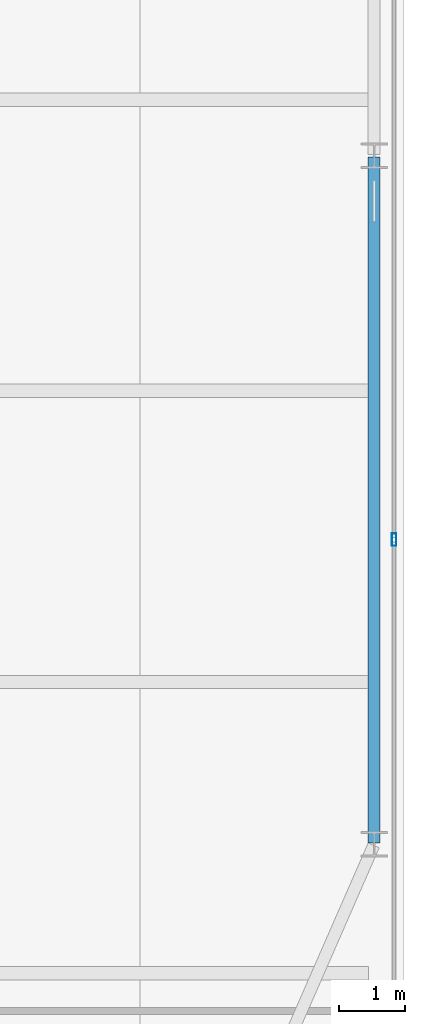
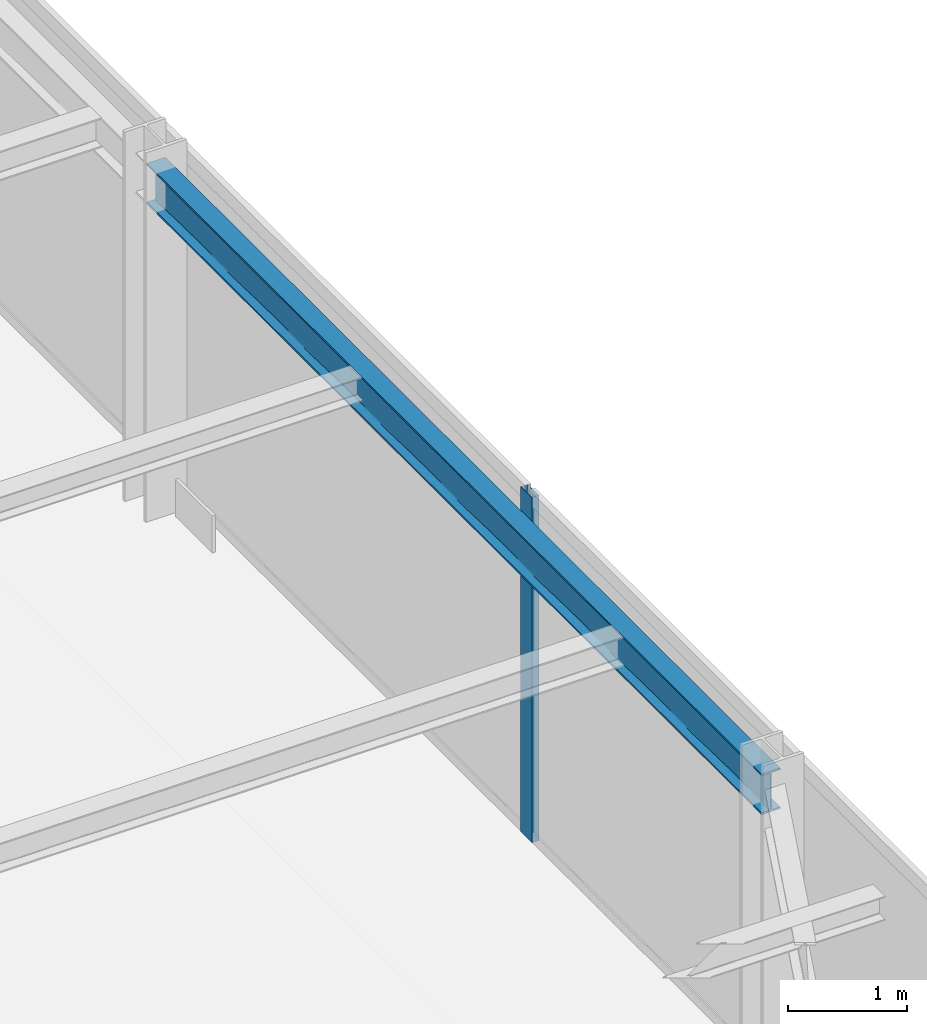
# One storey, part 18 of 34: 1 beam, 1 member, 1 element without a shape of its own.
"""IFC4 building model written with IfcOpenShell, lengths in metres."""

from ifc_helpers import new_model, si_unit, direction, frame, origin, origin_2d, place, context, subcontext, project, spatial, hollow_rectangle, i_section, extrude, source, transform, mapped, material, layer, layer_set, material_profile, profile_set, type_object, type_shapes, element, aggregate, save


model = new_model("IFC4")

# Units and contexts
model_context = context("Model", 3, precision=1e-05, world=origin(), true_north=direction((0.0, 1.0)))
body_context = subcontext(model_context, "Body", "Model", "MODEL_VIEW")
ifc_project = project(units=[si_unit("LENGTHUNIT", "METRE"), si_unit("AREAUNIT", "SQUARE_METRE"), si_unit("VOLUMEUNIT", "CUBIC_METRE"), si_unit("PLANEANGLEUNIT", "RADIAN"), si_unit("MASSUNIT", "GRAM", prefix="KILO")], contexts=[model_context])

# Site, building, storey
site_placement = place(None, origin())
site = spatial("IfcSite", under=ifc_project, at=site_placement, CompositionType="ELEMENT")
building_placement = place(site_placement, origin())
building = spatial("IfcBuilding", under=site, at=building_placement, Name="Varnel Quay Broadcast Tower", CompositionType="ELEMENT")
storey_placement = place(building_placement, frame((0.0, 0.0, 110.60009765625)))
storey = spatial("IfcBuildingStorey", under=building, at=storey_placement, Name="L26", CompositionType="ELEMENT", Elevation=110.60009765625)

# Beam
ifc_material_1 = material(Name="Structural Steel CSA G40.21 350W", Category="steel")
ifc_material_profile_1 = material_profile(ifc_material_1, i_section(OverallWidth=0.180908203125, OverallDepth=0.4169921875, WebThickness=0.010986328125, FlangeThickness=0.018310546875, FilletRadius=0.011962890625, at=origin_2d()), Name="W410X85")
ifc_profile_set_1 = profile_set([ifc_material_profile_1], Name="Structural Steel CSA G40.21 350W")
beam_type = type_object("IfcBeamType", Name="Beam_W410X85", PredefinedType="SPANDREL", material=ifc_profile_set_1)
shared_shape_1 = source(origin(), body_context, "Body", "SweptSolid", [
    extrude(i_section(OverallWidth=0.180908203125, OverallDepth=0.4169921875, WebThickness=0.010986328125, FlangeThickness=0.018310546875, FilletRadius=0.011962890625, at=origin_2d()), origin(), (0.0, 0.0, 1.0), 10.35986328125),
])
type_shapes(beam_type, [shared_shape_1])
beam_placement = place(storey_placement, frame((63.050048828125, 15.02001953125, 3.34130859375), z_axis=(0.0, 1.0, 0.0), x_axis=(-1.0, 0.0, 0.0)))
element("IfcBeam", 1, at=beam_placement, inside=storey, type_object=beam_type, Name="L26 East Spandrel TC-E1-TC-E2", PredefinedType="SPANDREL", context=body_context, shape_type="MappedRepresentation", body=[
    mapped(shared_shape_1, transform((0.0, 0.0, 0.0), x_axis=(1.0, 0.0, 0.0), y_axis=(0.0, 1.0, 0.0), z_axis=(0.0, 0.0, 1.0), scale=1.0)),
])

# Curtain wall, member
ifc_material_2 = material(Name="Anodised Bronze Aluminium 6063-T6", Category="aluminium")
ifc_layer = layer(ifc_material_2, 0.18994140625, Name="Anodised Bronze Aluminium 6063-T6")
ifc_layer_set = layer_set([ifc_layer], Name="Anodised Bronze Aluminium 6063-T6")
curtain_wall_type = type_object("IfcCurtainWallType", Name="CW_LowerTower", PredefinedType="NOTDEFINED", material=ifc_layer_set)
curtain_wall_placement = place(storey_placement, origin())
curtain_wall = element("IfcCurtainWall", 2, at=curtain_wall_placement, inside=storey, type_object=curtain_wall_type, Name="L26 East Unitised Curtain Wall", PredefinedType="NOTDEFINED")
ifc_material_profile_2 = material_profile(ifc_material_2, hollow_rectangle(XDim=0.070068359375, YDim=0.18994140625, WallThickness=0.00390625, at=origin_2d()), Name="ALU70X190X4")
ifc_profile_set_2 = profile_set([ifc_material_profile_2], Name="Anodised Bronze Aluminium 6063-T6")
member_type = type_object("IfcMemberType", Name="Mull_CWS-02", PredefinedType="MULLION", material=ifc_profile_set_2)
shared_shape_2 = source(origin(), body_context, "Body", "SweptSolid", [
    extrude(hollow_rectangle(XDim=0.070068359375, YDim=0.18994140625, WallThickness=0.00390625, at=origin_2d()), origin(), (0.0, 0.0, 1.0), 3.5498046875),
])
type_shapes(member_type, [shared_shape_2])
member_placement = place(storey_placement, frame((63.35009765625, 19.60009765625, 0.0), z_axis=(0.0, 0.0, 1.0), x_axis=(-1.0, 0.0, 0.0)))
member = element("IfcMember", 3, at=member_placement, type_object=member_type, Name="CWS-02 mullion 2", PredefinedType="MULLION", context=body_context, shape_type="MappedRepresentation", body=[
    mapped(shared_shape_2, transform((0.0, 0.0, 0.0), x_axis=(1.0, 0.0, 0.0), y_axis=(0.0, 1.0, 0.0), z_axis=(0.0, 0.0, 1.0), scale=1.0)),
])
aggregate(curtain_wall, [member])

save(model, "model.ifc")
